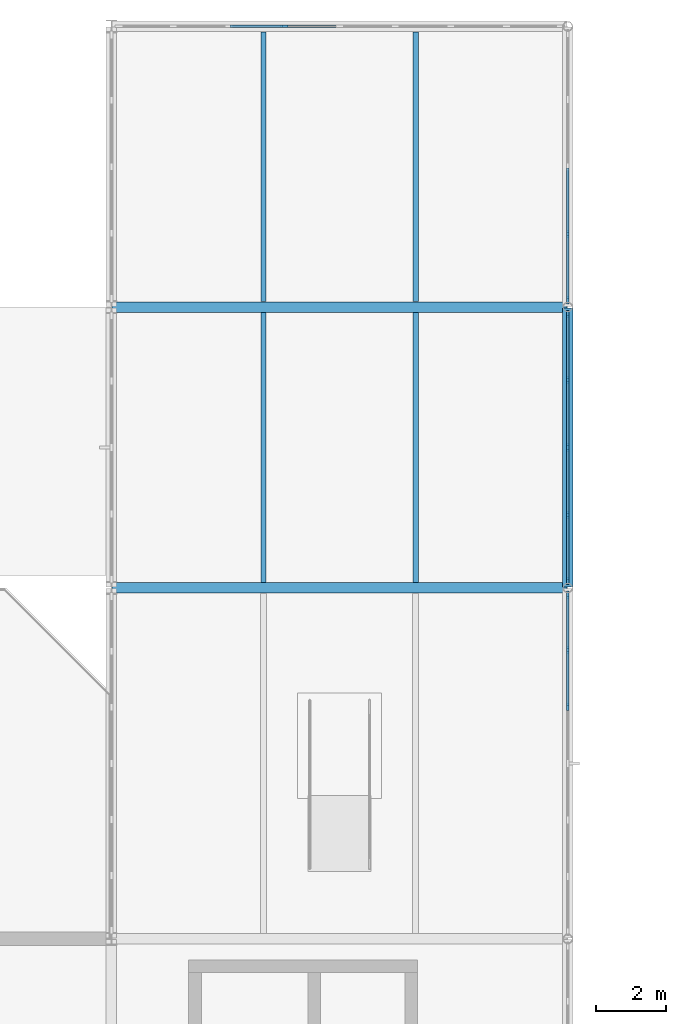
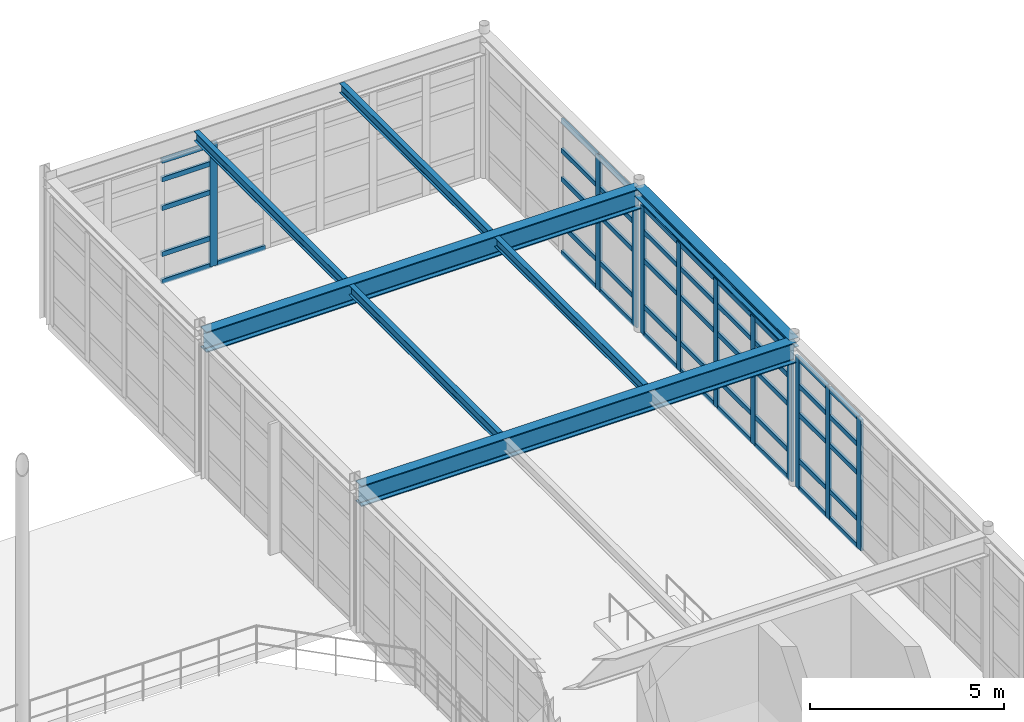
# One storey, part 79 of 139: 57 members, 7 beams, 4 elements without a shape of their own.
"""IFC4 building model written with IfcOpenShell, lengths in metres."""

from ifc_helpers import new_model, si_unit, direction, frame, origin, origin_2d, place, context, subcontext, project, spatial, rectangle, i_section, extrude, material, layer, layer_set, material_profile, profile_set, type_object, element, aggregate, save


model = new_model("IFC4")

# Units and contexts
model_context = context("Model", 3, precision=1e-05, world=origin(), true_north=direction((0.0, 1.0)))
body_context = subcontext(model_context, "Body", "Model", "MODEL_VIEW")
ifc_project = project(units=[si_unit("LENGTHUNIT", "METRE"), si_unit("AREAUNIT", "SQUARE_METRE"), si_unit("VOLUMEUNIT", "CUBIC_METRE"), si_unit("PLANEANGLEUNIT", "RADIAN"), si_unit("MASSUNIT", "GRAM", prefix="KILO"), si_unit("THERMODYNAMICTEMPERATUREUNIT", "KELVIN"), si_unit("POWERUNIT", "WATT")], contexts=[model_context])

# Site, building, storey
site_placement = place(None, origin())
site = spatial("IfcSite", under=ifc_project, at=site_placement, CompositionType="ELEMENT")
building_placement = place(site_placement, origin())
building = spatial("IfcBuilding", under=site, at=building_placement, Name="Korenveer Ferry Terminal", CompositionType="ELEMENT")
storey_placement = place(building_placement, frame((0.0, 0.0, 5.39990234375)))
storey = spatial("IfcBuildingStorey", under=building, at=storey_placement, Name="L01", CompositionType="ELEMENT", Elevation=5.39990234375)

# Curtain wall, member
ifc_material_1 = material(Name="Unitised bronze-and-glass curtain wall", Category="glass")
ifc_layer_1 = layer(ifc_material_1, 0.219970703125)
ifc_layer_set_1 = layer_set([ifc_layer_1], Name="Unitised bronze-and-glass curtain wall")
curtain_wall_type_1 = type_object("IfcCurtainWallType", Name="ENV-CW-57", PredefinedType="USERDEFINED", material=ifc_layer_set_1)
curtain_wall_1_placement = place(storey_placement, frame((123.179931640625, 116.0, 0.0)))
curtain_wall_1 = element("IfcCurtainWall", 1, at=curtain_wall_1_placement, inside=storey, type_object=curtain_wall_type_1, Name="Lancet curtain wall CWX-L01-X123-136-Y116-116", ObjectType="UNITISED CURTAIN WALL", PredefinedType="USERDEFINED")
ifc_material_2 = material(Name="Anodised bronze aluminium", Category="aluminium")
ifc_material_profile_1 = material_profile(ifc_material_2, rectangle(XDim=0.074951171875, YDim=0.219970703125, at=origin_2d()), Name="ALU 75x220")
ifc_profile_set_1 = profile_set([ifc_material_profile_1], Name="Anodised bronze aluminium")
member_type_1 = type_object("IfcMemberType", Name="ENV-CWM-75X220", PredefinedType="MULLION", material=ifc_profile_set_1)
member_1_placement = place(storey_placement, frame((127.925048828125, 116.0, 0.0), z_axis=(0.0, 0.0, 1.0), x_axis=(0.0, 1.0, 0.0)))
member_1 = element("IfcMember", 2, at=member_1_placement, type_object=member_type_1, Name="CW-57 mullion 4", PredefinedType="MULLION", context=body_context, shape_type="SweptSolid", body=[
    extrude(rectangle(XDim=0.074951171875, YDim=0.219970703125, at=origin_2d()), origin(), (0.0, 0.0, 1.0), 3.8701171875),
])

# Curtain wall, members
ifc_layer_2 = layer(ifc_material_1, 0.219970703125)
ifc_layer_set_2 = layer_set([ifc_layer_2], Name="Unitised bronze-and-glass curtain wall")
curtain_wall_type_2 = type_object("IfcCurtainWallType", Name="ENV-CW-76", PredefinedType="USERDEFINED", material=ifc_layer_set_2)
curtain_wall_2_placement = place(storey_placement, frame((136.0, 99.83349609375, 0.0)))
curtain_wall_2 = element("IfcCurtainWall", 3, at=curtain_wall_2_placement, inside=storey, type_object=curtain_wall_type_2, Name="Lancet curtain wall CWX-L01-X136-136-Y90-100", ObjectType="UNITISED CURTAIN WALL", PredefinedType="USERDEFINED")
member_2_placement = place(storey_placement, frame((136.0, 99.7958984375, 0.0), z_axis=(0.0, 0.0, 1.0), x_axis=(1.0, 0.0, 0.0)))
member_2 = element("IfcMember", 4, at=member_2_placement, type_object=member_type_1, Name="CW-76 mullion 1", PredefinedType="MULLION", context=body_context, shape_type="SweptSolid", body=[
    extrude(rectangle(XDim=0.074951171875, YDim=0.219970703125, at=origin_2d()), origin(), (0.0, 0.0, 1.0), 4.130126953125),
])
member_3_placement = place(storey_placement, frame((136.0, 98.222412109375, 0.0), z_axis=(0.0, 0.0, 1.0), x_axis=(1.0, 0.0, 0.0)))
member_3 = element("IfcMember", 5, at=member_3_placement, type_object=member_type_1, Name="CW-76 mullion 2", PredefinedType="MULLION", context=body_context, shape_type="SweptSolid", body=[
    extrude(rectangle(XDim=0.074951171875, YDim=0.219970703125, at=origin_2d()), origin(), (0.0, 0.0, 1.0), 4.130126953125),
])
member_4_placement = place(storey_placement, frame((136.0, 96.611083984375, 0.0), z_axis=(0.0, 0.0, 1.0), x_axis=(1.0, 0.0, 0.0)))
member_4 = element("IfcMember", 6, at=member_4_placement, type_object=member_type_1, Name="CW-76 mullion 3", PredefinedType="MULLION", context=body_context, shape_type="SweptSolid", body=[
    extrude(rectangle(XDim=0.074951171875, YDim=0.219970703125, at=origin_2d()), origin(), (0.0, 0.0, 1.0), 4.130126953125),
])

ifc_layer_3 = layer(ifc_material_1, 0.219970703125)
ifc_layer_set_3 = layer_set([ifc_layer_3], Name="Unitised bronze-and-glass curtain wall")
curtain_wall_type_3 = type_object("IfcCurtainWallType", Name="ENV-CW-67", PredefinedType="USERDEFINED", material=ifc_layer_set_3)
curtain_wall_3_placement = place(storey_placement, frame((136.0, 107.83349609375, 0.0)))
curtain_wall_3 = element("IfcCurtainWall", 7, at=curtain_wall_3_placement, inside=storey, type_object=curtain_wall_type_3, Name="Lancet curtain wall CWX-L01-X136-136-Y100-108", ObjectType="UNITISED CURTAIN WALL", PredefinedType="USERDEFINED")
member_5_placement = place(storey_placement, frame((136.0, 107.7958984375, 0.0), z_axis=(0.0, 0.0, 1.0), x_axis=(1.0, 0.0, 0.0)))
member_5 = element("IfcMember", 8, at=member_5_placement, type_object=member_type_1, Name="CW-67 mullion 1", PredefinedType="MULLION", context=body_context, shape_type="SweptSolid", body=[
    extrude(rectangle(XDim=0.074951171875, YDim=0.219970703125, at=origin_2d()), origin(), (0.0, 0.0, 1.0), 4.030029296875),
])
member_6_placement = place(storey_placement, frame((136.0, 105.916748046875, 0.0), z_axis=(0.0, 0.0, 1.0), x_axis=(1.0, 0.0, 0.0)))
member_6 = element("IfcMember", 9, at=member_6_placement, type_object=member_type_1, Name="CW-67 mullion 2", PredefinedType="MULLION", context=body_context, shape_type="SweptSolid", body=[
    extrude(rectangle(XDim=0.074951171875, YDim=0.219970703125, at=origin_2d()), origin(), (0.0, 0.0, 1.0), 4.030029296875),
])
member_7_placement = place(storey_placement, frame((136.0, 104.0, 0.0), z_axis=(0.0, 0.0, 1.0), x_axis=(1.0, 0.0, 0.0)))
member_7 = element("IfcMember", 10, at=member_7_placement, type_object=member_type_1, Name="CW-67 mullion 3", PredefinedType="MULLION", context=body_context, shape_type="SweptSolid", body=[
    extrude(rectangle(XDim=0.074951171875, YDim=0.219970703125, at=origin_2d()), origin(), (0.0, 0.0, 1.0), 4.030029296875),
])
member_8_placement = place(storey_placement, frame((136.0, 102.083251953125, 0.0), z_axis=(0.0, 0.0, 1.0), x_axis=(1.0, 0.0, 0.0)))
member_8 = element("IfcMember", 11, at=member_8_placement, type_object=member_type_1, Name="CW-67 mullion 4", PredefinedType="MULLION", context=body_context, shape_type="SweptSolid", body=[
    extrude(rectangle(XDim=0.074951171875, YDim=0.219970703125, at=origin_2d()), origin(), (0.0, 0.0, 1.0), 4.030029296875),
])
member_9_placement = place(storey_placement, frame((136.0, 100.2041015625, 0.0), z_axis=(0.0, 0.0, 1.0), x_axis=(1.0, 0.0, 0.0)))
member_9 = element("IfcMember", 12, at=member_9_placement, type_object=member_type_1, Name="CW-67 mullion 5", PredefinedType="MULLION", context=body_context, shape_type="SweptSolid", body=[
    extrude(rectangle(XDim=0.074951171875, YDim=0.219970703125, at=origin_2d()), origin(), (0.0, 0.0, 1.0), 4.030029296875),
])

ifc_layer_4 = layer(ifc_material_1, 0.219970703125)
ifc_layer_set_4 = layer_set([ifc_layer_4], Name="Unitised bronze-and-glass curtain wall")
curtain_wall_type_4 = type_object("IfcCurtainWallType", Name="ENV-CW-77", PredefinedType="USERDEFINED", material=ifc_layer_set_4)
curtain_wall_4_placement = place(storey_placement, frame((136.0, 115.83349609375, 0.0)))
curtain_wall_4 = element("IfcCurtainWall", 13, at=curtain_wall_4_placement, inside=storey, type_object=curtain_wall_type_4, Name="Lancet curtain wall CWX-L01-X136-136-Y108-116", ObjectType="UNITISED CURTAIN WALL", PredefinedType="USERDEFINED")
member_10_placement = place(storey_placement, frame((136.0, 110.083251953125, 0.0), z_axis=(0.0, 0.0, 1.0), x_axis=(1.0, 0.0, 0.0)))
member_10 = element("IfcMember", 14, at=member_10_placement, type_object=member_type_1, Name="CW-77 mullion 4", PredefinedType="MULLION", context=body_context, shape_type="SweptSolid", body=[
    extrude(rectangle(XDim=0.074951171875, YDim=0.219970703125, at=origin_2d()), origin(), (0.0, 0.0, 1.0), 4.22998046875),
])
member_11_placement = place(storey_placement, frame((136.0, 108.2041015625, 0.0), z_axis=(0.0, 0.0, 1.0), x_axis=(1.0, 0.0, 0.0)))
member_11 = element("IfcMember", 15, at=member_11_placement, type_object=member_type_1, Name="CW-77 mullion 5", PredefinedType="MULLION", context=body_context, shape_type="SweptSolid", body=[
    extrude(rectangle(XDim=0.074951171875, YDim=0.219970703125, at=origin_2d()), origin(), (0.0, 0.0, 1.0), 4.22998046875),
])

# Member
ifc_material_profile_2 = material_profile(ifc_material_2, rectangle(XDim=0.074951171875, YDim=0.14990234375, at=origin_2d()), Name="ALU 75x150")
ifc_profile_set_2 = profile_set([ifc_material_profile_2], Name="Anodised bronze aluminium")
member_type_2 = type_object("IfcMemberType", Name="ENV-CWT-75X150", PredefinedType="USERDEFINED", material=ifc_profile_set_2)
member_12_placement = place(storey_placement, frame((126.380859375, 116.0, 0.03759765625), z_axis=(1.0, 0.0, 0.0), x_axis=(0.0, 1.0, 0.0)))
member_12 = element("IfcMember", 16, at=member_12_placement, type_object=member_type_2, Name="CW-57 transom 3.1", ObjectType="TRANSOM", PredefinedType="USERDEFINED", context=body_context, shape_type="SweptSolid", body=[
    extrude(rectangle(XDim=0.074951171875, YDim=0.14990234375, at=origin_2d()), origin(), (0.0, 0.0, 1.0), 1.506591796875),
])

member_13_placement = place(storey_placement, frame((126.380859375, 116.0, 0.900146484375), z_axis=(1.0, 0.0, 0.0), x_axis=(0.0, 1.0, 0.0)))
member_13 = element("IfcMember", 17, at=member_13_placement, type_object=member_type_2, Name="CW-57 transom 3.2", ObjectType="TRANSOM", PredefinedType="USERDEFINED", context=body_context, shape_type="SweptSolid", body=[
    extrude(rectangle(XDim=0.074951171875, YDim=0.14990234375, at=origin_2d()), origin(), (0.0, 0.0, 1.0), 1.506591796875),
])

member_14_placement = place(storey_placement, frame((126.380859375, 116.0, 2.35009765625), z_axis=(1.0, 0.0, 0.0), x_axis=(0.0, 1.0, 0.0)))
member_14 = element("IfcMember", 18, at=member_14_placement, type_object=member_type_2, Name="CW-57 transom 3.3", ObjectType="TRANSOM", PredefinedType="USERDEFINED", context=body_context, shape_type="SweptSolid", body=[
    extrude(rectangle(XDim=0.074951171875, YDim=0.14990234375, at=origin_2d()), origin(), (0.0, 0.0, 1.0), 1.506591796875),
])

member_15_placement = place(storey_placement, frame((126.380859375, 116.0, 3.25), z_axis=(1.0, 0.0, 0.0), x_axis=(0.0, 1.0, 0.0)))
member_15 = element("IfcMember", 19, at=member_15_placement, type_object=member_type_2, Name="CW-57 transom 3.4", ObjectType="TRANSOM", PredefinedType="USERDEFINED", context=body_context, shape_type="SweptSolid", body=[
    extrude(rectangle(XDim=0.074951171875, YDim=0.14990234375, at=origin_2d()), origin(), (0.0, 0.0, 1.0), 1.506591796875),
])

member_16_placement = place(storey_placement, frame((126.380859375, 116.0, 3.83251953125), z_axis=(1.0, 0.0, 0.0), x_axis=(0.0, 1.0, 0.0)))
member_16 = element("IfcMember", 20, at=member_16_placement, type_object=member_type_2, Name="CW-57 transom 3.5", ObjectType="TRANSOM", PredefinedType="USERDEFINED", context=body_context, shape_type="SweptSolid", body=[
    extrude(rectangle(XDim=0.074951171875, YDim=0.14990234375, at=origin_2d()), origin(), (0.0, 0.0, 1.0), 1.506591796875),
])

member_17_placement = place(storey_placement, frame((127.962646484375, 116.0, 0.03759765625), z_axis=(1.0, 0.0, 0.0), x_axis=(0.0, 1.0, 0.0)))
member_17 = element("IfcMember", 21, at=member_17_placement, type_object=member_type_2, Name="CW-57 transom 4.1", ObjectType="TRANSOM", PredefinedType="USERDEFINED", context=body_context, shape_type="SweptSolid", body=[
    extrude(rectangle(XDim=0.074951171875, YDim=0.14990234375, at=origin_2d()), origin(), (0.0, 0.0, 1.0), 1.506591796875),
])

aggregate(curtain_wall_1, [member_1, member_12, member_13, member_14, member_15, member_16, member_17])

member_18_placement = place(storey_placement, frame((136.0, 99.758544921875, 0.03759765625), z_axis=(0.0, -1.0, 0.0), x_axis=(1.0, 0.0, 0.0)))
member_18 = element("IfcMember", 22, at=member_18_placement, type_object=member_type_2, Name="CW-76 transom 1.1", ObjectType="TRANSOM", PredefinedType="USERDEFINED", context=body_context, shape_type="SweptSolid", body=[
    extrude(rectangle(XDim=0.074951171875, YDim=0.14990234375, at=origin_2d()), origin(), (0.0, 0.0, 1.0), 1.498779296875),
])

member_19_placement = place(storey_placement, frame((136.0, 99.758544921875, 0.900146484375), z_axis=(0.0, -1.0, 0.0), x_axis=(1.0, 0.0, 0.0)))
member_19 = element("IfcMember", 23, at=member_19_placement, type_object=member_type_2, Name="CW-76 transom 1.2", ObjectType="TRANSOM", PredefinedType="USERDEFINED", context=body_context, shape_type="SweptSolid", body=[
    extrude(rectangle(XDim=0.074951171875, YDim=0.14990234375, at=origin_2d()), origin(), (0.0, 0.0, 1.0), 1.498779296875),
])

member_20_placement = place(storey_placement, frame((136.0, 99.758544921875, 2.35009765625), z_axis=(0.0, -1.0, 0.0), x_axis=(1.0, 0.0, 0.0)))
member_20 = element("IfcMember", 24, at=member_20_placement, type_object=member_type_2, Name="CW-76 transom 1.3", ObjectType="TRANSOM", PredefinedType="USERDEFINED", context=body_context, shape_type="SweptSolid", body=[
    extrude(rectangle(XDim=0.074951171875, YDim=0.14990234375, at=origin_2d()), origin(), (0.0, 0.0, 1.0), 1.498779296875),
])

member_21_placement = place(storey_placement, frame((136.0, 99.758544921875, 3.25), z_axis=(0.0, -1.0, 0.0), x_axis=(1.0, 0.0, 0.0)))
member_21 = element("IfcMember", 25, at=member_21_placement, type_object=member_type_2, Name="CW-76 transom 1.4", ObjectType="TRANSOM", PredefinedType="USERDEFINED", context=body_context, shape_type="SweptSolid", body=[
    extrude(rectangle(XDim=0.074951171875, YDim=0.14990234375, at=origin_2d()), origin(), (0.0, 0.0, 1.0), 1.498779296875),
])

member_22_placement = place(storey_placement, frame((136.0, 99.758544921875, 4.092529296875), z_axis=(0.0, -1.0, 0.0), x_axis=(1.0, 0.0, 0.0)))
member_22 = element("IfcMember", 26, at=member_22_placement, type_object=member_type_2, Name="CW-76 transom 1.5", ObjectType="TRANSOM", PredefinedType="USERDEFINED", context=body_context, shape_type="SweptSolid", body=[
    extrude(rectangle(XDim=0.074951171875, YDim=0.14990234375, at=origin_2d()), origin(), (0.0, 0.0, 1.0), 1.498779296875),
])

member_23_placement = place(storey_placement, frame((136.0, 98.184814453125, 0.03759765625), z_axis=(0.0, -1.0, 0.0), x_axis=(1.0, 0.0, 0.0)))
member_23 = element("IfcMember", 27, at=member_23_placement, type_object=member_type_2, Name="CW-76 transom 2.1", ObjectType="TRANSOM", PredefinedType="USERDEFINED", context=body_context, shape_type="SweptSolid", body=[
    extrude(rectangle(XDim=0.074951171875, YDim=0.14990234375, at=origin_2d()), origin(), (0.0, 0.0, 1.0), 1.5361328125),
])

member_24_placement = place(storey_placement, frame((136.0, 98.184814453125, 0.900146484375), z_axis=(0.0, -1.0, 0.0), x_axis=(1.0, 0.0, 0.0)))
member_24 = element("IfcMember", 28, at=member_24_placement, type_object=member_type_2, Name="CW-76 transom 2.2", ObjectType="TRANSOM", PredefinedType="USERDEFINED", context=body_context, shape_type="SweptSolid", body=[
    extrude(rectangle(XDim=0.074951171875, YDim=0.14990234375, at=origin_2d()), origin(), (0.0, 0.0, 1.0), 1.5361328125),
])

member_25_placement = place(storey_placement, frame((136.0, 98.184814453125, 2.35009765625), z_axis=(0.0, -1.0, 0.0), x_axis=(1.0, 0.0, 0.0)))
member_25 = element("IfcMember", 29, at=member_25_placement, type_object=member_type_2, Name="CW-76 transom 2.3", ObjectType="TRANSOM", PredefinedType="USERDEFINED", context=body_context, shape_type="SweptSolid", body=[
    extrude(rectangle(XDim=0.074951171875, YDim=0.14990234375, at=origin_2d()), origin(), (0.0, 0.0, 1.0), 1.5361328125),
])

member_26_placement = place(storey_placement, frame((136.0, 98.184814453125, 3.25), z_axis=(0.0, -1.0, 0.0), x_axis=(1.0, 0.0, 0.0)))
member_26 = element("IfcMember", 30, at=member_26_placement, type_object=member_type_2, Name="CW-76 transom 2.4", ObjectType="TRANSOM", PredefinedType="USERDEFINED", context=body_context, shape_type="SweptSolid", body=[
    extrude(rectangle(XDim=0.074951171875, YDim=0.14990234375, at=origin_2d()), origin(), (0.0, 0.0, 1.0), 1.5361328125),
])

member_27_placement = place(storey_placement, frame((136.0, 98.184814453125, 4.092529296875), z_axis=(0.0, -1.0, 0.0), x_axis=(1.0, 0.0, 0.0)))
member_27 = element("IfcMember", 31, at=member_27_placement, type_object=member_type_2, Name="CW-76 transom 2.5", ObjectType="TRANSOM", PredefinedType="USERDEFINED", context=body_context, shape_type="SweptSolid", body=[
    extrude(rectangle(XDim=0.074951171875, YDim=0.14990234375, at=origin_2d()), origin(), (0.0, 0.0, 1.0), 1.5361328125),
])

aggregate(curtain_wall_2, [member_2, member_3, member_4, member_18, member_19, member_20, member_21, member_22, member_23, member_24, member_25, member_26, member_27])

member_28_placement = place(storey_placement, frame((136.0, 107.758544921875, 0.03759765625), z_axis=(0.0, -1.0, 0.0), x_axis=(1.0, 0.0, 0.0)))
member_28 = element("IfcMember", 32, at=member_28_placement, type_object=member_type_2, Name="CW-67 transom 1.1", ObjectType="TRANSOM", PredefinedType="USERDEFINED", context=body_context, shape_type="SweptSolid", body=[
    extrude(rectangle(XDim=0.074951171875, YDim=0.14990234375, at=origin_2d()), origin(), (0.0, 0.0, 1.0), 1.80419921875),
])

member_29_placement = place(storey_placement, frame((136.0, 107.758544921875, 0.900146484375), z_axis=(0.0, -1.0, 0.0), x_axis=(1.0, 0.0, 0.0)))
member_29 = element("IfcMember", 33, at=member_29_placement, type_object=member_type_2, Name="CW-67 transom 1.2", ObjectType="TRANSOM", PredefinedType="USERDEFINED", context=body_context, shape_type="SweptSolid", body=[
    extrude(rectangle(XDim=0.074951171875, YDim=0.14990234375, at=origin_2d()), origin(), (0.0, 0.0, 1.0), 1.80419921875),
])

member_30_placement = place(storey_placement, frame((136.0, 107.758544921875, 2.35009765625), z_axis=(0.0, -1.0, 0.0), x_axis=(1.0, 0.0, 0.0)))
member_30 = element("IfcMember", 34, at=member_30_placement, type_object=member_type_2, Name="CW-67 transom 1.3", ObjectType="TRANSOM", PredefinedType="USERDEFINED", context=body_context, shape_type="SweptSolid", body=[
    extrude(rectangle(XDim=0.074951171875, YDim=0.14990234375, at=origin_2d()), origin(), (0.0, 0.0, 1.0), 1.80419921875),
])

member_31_placement = place(storey_placement, frame((136.0, 107.758544921875, 3.25), z_axis=(0.0, -1.0, 0.0), x_axis=(1.0, 0.0, 0.0)))
member_31 = element("IfcMember", 35, at=member_31_placement, type_object=member_type_2, Name="CW-67 transom 1.4", ObjectType="TRANSOM", PredefinedType="USERDEFINED", context=body_context, shape_type="SweptSolid", body=[
    extrude(rectangle(XDim=0.074951171875, YDim=0.14990234375, at=origin_2d()), origin(), (0.0, 0.0, 1.0), 1.80419921875),
])

member_32_placement = place(storey_placement, frame((136.0, 107.758544921875, 3.99267578125), z_axis=(0.0, -1.0, 0.0), x_axis=(1.0, 0.0, 0.0)))
member_32 = element("IfcMember", 36, at=member_32_placement, type_object=member_type_2, Name="CW-67 transom 1.5", ObjectType="TRANSOM", PredefinedType="USERDEFINED", context=body_context, shape_type="SweptSolid", body=[
    extrude(rectangle(XDim=0.074951171875, YDim=0.14990234375, at=origin_2d()), origin(), (0.0, 0.0, 1.0), 1.80419921875),
])

member_33_placement = place(storey_placement, frame((136.0, 105.879150390625, 0.03759765625), z_axis=(0.0, -1.0, 0.0), x_axis=(1.0, 0.0, 0.0)))
member_33 = element("IfcMember", 37, at=member_33_placement, type_object=member_type_2, Name="CW-67 transom 2.1", ObjectType="TRANSOM", PredefinedType="USERDEFINED", context=body_context, shape_type="SweptSolid", body=[
    extrude(rectangle(XDim=0.074951171875, YDim=0.14990234375, at=origin_2d()), origin(), (0.0, 0.0, 1.0), 1.841552734375),
])

member_34_placement = place(storey_placement, frame((136.0, 105.879150390625, 0.900146484375), z_axis=(0.0, -1.0, 0.0), x_axis=(1.0, 0.0, 0.0)))
member_34 = element("IfcMember", 38, at=member_34_placement, type_object=member_type_2, Name="CW-67 transom 2.2", ObjectType="TRANSOM", PredefinedType="USERDEFINED", context=body_context, shape_type="SweptSolid", body=[
    extrude(rectangle(XDim=0.074951171875, YDim=0.14990234375, at=origin_2d()), origin(), (0.0, 0.0, 1.0), 1.841552734375),
])

member_35_placement = place(storey_placement, frame((136.0, 105.879150390625, 2.35009765625), z_axis=(0.0, -1.0, 0.0), x_axis=(1.0, 0.0, 0.0)))
member_35 = element("IfcMember", 39, at=member_35_placement, type_object=member_type_2, Name="CW-67 transom 2.3", ObjectType="TRANSOM", PredefinedType="USERDEFINED", context=body_context, shape_type="SweptSolid", body=[
    extrude(rectangle(XDim=0.074951171875, YDim=0.14990234375, at=origin_2d()), origin(), (0.0, 0.0, 1.0), 1.841552734375),
])

member_36_placement = place(storey_placement, frame((136.0, 105.879150390625, 3.25), z_axis=(0.0, -1.0, 0.0), x_axis=(1.0, 0.0, 0.0)))
member_36 = element("IfcMember", 40, at=member_36_placement, type_object=member_type_2, Name="CW-67 transom 2.4", ObjectType="TRANSOM", PredefinedType="USERDEFINED", context=body_context, shape_type="SweptSolid", body=[
    extrude(rectangle(XDim=0.074951171875, YDim=0.14990234375, at=origin_2d()), origin(), (0.0, 0.0, 1.0), 1.841552734375),
])

member_37_placement = place(storey_placement, frame((136.0, 105.879150390625, 3.99267578125), z_axis=(0.0, -1.0, 0.0), x_axis=(1.0, 0.0, 0.0)))
member_37 = element("IfcMember", 41, at=member_37_placement, type_object=member_type_2, Name="CW-67 transom 2.5", ObjectType="TRANSOM", PredefinedType="USERDEFINED", context=body_context, shape_type="SweptSolid", body=[
    extrude(rectangle(XDim=0.074951171875, YDim=0.14990234375, at=origin_2d()), origin(), (0.0, 0.0, 1.0), 1.841552734375),
])

member_38_placement = place(storey_placement, frame((136.0, 103.96240234375, 0.03759765625), z_axis=(0.0, -1.0, 0.0), x_axis=(1.0, 0.0, 0.0)))
member_38 = element("IfcMember", 42, at=member_38_placement, type_object=member_type_2, Name="CW-67 transom 3.1", ObjectType="TRANSOM", PredefinedType="USERDEFINED", context=body_context, shape_type="SweptSolid", body=[
    extrude(rectangle(XDim=0.074951171875, YDim=0.14990234375, at=origin_2d()), origin(), (0.0, 0.0, 1.0), 1.841552734375),
])

member_39_placement = place(storey_placement, frame((136.0, 103.96240234375, 0.900146484375), z_axis=(0.0, -1.0, 0.0), x_axis=(1.0, 0.0, 0.0)))
member_39 = element("IfcMember", 43, at=member_39_placement, type_object=member_type_2, Name="CW-67 transom 3.2", ObjectType="TRANSOM", PredefinedType="USERDEFINED", context=body_context, shape_type="SweptSolid", body=[
    extrude(rectangle(XDim=0.074951171875, YDim=0.14990234375, at=origin_2d()), origin(), (0.0, 0.0, 1.0), 1.841552734375),
])

member_40_placement = place(storey_placement, frame((136.0, 103.96240234375, 2.35009765625), z_axis=(0.0, -1.0, 0.0), x_axis=(1.0, 0.0, 0.0)))
member_40 = element("IfcMember", 44, at=member_40_placement, type_object=member_type_2, Name="CW-67 transom 3.3", ObjectType="TRANSOM", PredefinedType="USERDEFINED", context=body_context, shape_type="SweptSolid", body=[
    extrude(rectangle(XDim=0.074951171875, YDim=0.14990234375, at=origin_2d()), origin(), (0.0, 0.0, 1.0), 1.841552734375),
])

member_41_placement = place(storey_placement, frame((136.0, 103.96240234375, 3.25), z_axis=(0.0, -1.0, 0.0), x_axis=(1.0, 0.0, 0.0)))
member_41 = element("IfcMember", 45, at=member_41_placement, type_object=member_type_2, Name="CW-67 transom 3.4", ObjectType="TRANSOM", PredefinedType="USERDEFINED", context=body_context, shape_type="SweptSolid", body=[
    extrude(rectangle(XDim=0.074951171875, YDim=0.14990234375, at=origin_2d()), origin(), (0.0, 0.0, 1.0), 1.841552734375),
])

member_42_placement = place(storey_placement, frame((136.0, 103.96240234375, 3.99267578125), z_axis=(0.0, -1.0, 0.0), x_axis=(1.0, 0.0, 0.0)))
member_42 = element("IfcMember", 46, at=member_42_placement, type_object=member_type_2, Name="CW-67 transom 3.5", ObjectType="TRANSOM", PredefinedType="USERDEFINED", context=body_context, shape_type="SweptSolid", body=[
    extrude(rectangle(XDim=0.074951171875, YDim=0.14990234375, at=origin_2d()), origin(), (0.0, 0.0, 1.0), 1.841552734375),
])

member_43_placement = place(storey_placement, frame((136.0, 102.045654296875, 0.03759765625), z_axis=(0.0, -1.0, 0.0), x_axis=(1.0, 0.0, 0.0)))
member_43 = element("IfcMember", 47, at=member_43_placement, type_object=member_type_2, Name="CW-67 transom 4.1", ObjectType="TRANSOM", PredefinedType="USERDEFINED", context=body_context, shape_type="SweptSolid", body=[
    extrude(rectangle(XDim=0.074951171875, YDim=0.14990234375, at=origin_2d()), origin(), (0.0, 0.0, 1.0), 1.80419921875),
])

member_44_placement = place(storey_placement, frame((136.0, 102.045654296875, 0.900146484375), z_axis=(0.0, -1.0, 0.0), x_axis=(1.0, 0.0, 0.0)))
member_44 = element("IfcMember", 48, at=member_44_placement, type_object=member_type_2, Name="CW-67 transom 4.2", ObjectType="TRANSOM", PredefinedType="USERDEFINED", context=body_context, shape_type="SweptSolid", body=[
    extrude(rectangle(XDim=0.074951171875, YDim=0.14990234375, at=origin_2d()), origin(), (0.0, 0.0, 1.0), 1.80419921875),
])

member_45_placement = place(storey_placement, frame((136.0, 102.045654296875, 2.35009765625), z_axis=(0.0, -1.0, 0.0), x_axis=(1.0, 0.0, 0.0)))
member_45 = element("IfcMember", 49, at=member_45_placement, type_object=member_type_2, Name="CW-67 transom 4.3", ObjectType="TRANSOM", PredefinedType="USERDEFINED", context=body_context, shape_type="SweptSolid", body=[
    extrude(rectangle(XDim=0.074951171875, YDim=0.14990234375, at=origin_2d()), origin(), (0.0, 0.0, 1.0), 1.80419921875),
])

member_46_placement = place(storey_placement, frame((136.0, 102.045654296875, 3.25), z_axis=(0.0, -1.0, 0.0), x_axis=(1.0, 0.0, 0.0)))
member_46 = element("IfcMember", 50, at=member_46_placement, type_object=member_type_2, Name="CW-67 transom 4.4", ObjectType="TRANSOM", PredefinedType="USERDEFINED", context=body_context, shape_type="SweptSolid", body=[
    extrude(rectangle(XDim=0.074951171875, YDim=0.14990234375, at=origin_2d()), origin(), (0.0, 0.0, 1.0), 1.80419921875),
])

member_47_placement = place(storey_placement, frame((136.0, 102.045654296875, 3.99267578125), z_axis=(0.0, -1.0, 0.0), x_axis=(1.0, 0.0, 0.0)))
member_47 = element("IfcMember", 51, at=member_47_placement, type_object=member_type_2, Name="CW-67 transom 4.5", ObjectType="TRANSOM", PredefinedType="USERDEFINED", context=body_context, shape_type="SweptSolid", body=[
    extrude(rectangle(XDim=0.074951171875, YDim=0.14990234375, at=origin_2d()), origin(), (0.0, 0.0, 1.0), 1.80419921875),
])

aggregate(curtain_wall_3, [member_5, member_6, member_7, member_8, member_9, member_28, member_29, member_30, member_31, member_32, member_33, member_34, member_35, member_36, member_37, member_38, member_39, member_40, member_41, member_42, member_43, member_44, member_45, member_46, member_47])

member_48_placement = place(storey_placement, frame((136.0, 111.96240234375, 0.03759765625), z_axis=(0.0, -1.0, 0.0), x_axis=(1.0, 0.0, 0.0)))
member_48 = element("IfcMember", 52, at=member_48_placement, type_object=member_type_2, Name="CW-77 transom 3.1", ObjectType="TRANSOM", PredefinedType="USERDEFINED", context=body_context, shape_type="SweptSolid", body=[
    extrude(rectangle(XDim=0.074951171875, YDim=0.14990234375, at=origin_2d()), origin(), (0.0, 0.0, 1.0), 1.841552734375),
])

member_49_placement = place(storey_placement, frame((136.0, 111.96240234375, 0.900146484375), z_axis=(0.0, -1.0, 0.0), x_axis=(1.0, 0.0, 0.0)))
member_49 = element("IfcMember", 53, at=member_49_placement, type_object=member_type_2, Name="CW-77 transom 3.2", ObjectType="TRANSOM", PredefinedType="USERDEFINED", context=body_context, shape_type="SweptSolid", body=[
    extrude(rectangle(XDim=0.074951171875, YDim=0.14990234375, at=origin_2d()), origin(), (0.0, 0.0, 1.0), 1.841552734375),
])

member_50_placement = place(storey_placement, frame((136.0, 111.96240234375, 2.35009765625), z_axis=(0.0, -1.0, 0.0), x_axis=(1.0, 0.0, 0.0)))
member_50 = element("IfcMember", 54, at=member_50_placement, type_object=member_type_2, Name="CW-77 transom 3.3", ObjectType="TRANSOM", PredefinedType="USERDEFINED", context=body_context, shape_type="SweptSolid", body=[
    extrude(rectangle(XDim=0.074951171875, YDim=0.14990234375, at=origin_2d()), origin(), (0.0, 0.0, 1.0), 1.841552734375),
])

member_51_placement = place(storey_placement, frame((136.0, 111.96240234375, 3.25), z_axis=(0.0, -1.0, 0.0), x_axis=(1.0, 0.0, 0.0)))
member_51 = element("IfcMember", 55, at=member_51_placement, type_object=member_type_2, Name="CW-77 transom 3.4", ObjectType="TRANSOM", PredefinedType="USERDEFINED", context=body_context, shape_type="SweptSolid", body=[
    extrude(rectangle(XDim=0.074951171875, YDim=0.14990234375, at=origin_2d()), origin(), (0.0, 0.0, 1.0), 1.841552734375),
])

member_52_placement = place(storey_placement, frame((136.0, 111.96240234375, 4.192626953125), z_axis=(0.0, -1.0, 0.0), x_axis=(1.0, 0.0, 0.0)))
member_52 = element("IfcMember", 56, at=member_52_placement, type_object=member_type_2, Name="CW-77 transom 3.5", ObjectType="TRANSOM", PredefinedType="USERDEFINED", context=body_context, shape_type="SweptSolid", body=[
    extrude(rectangle(XDim=0.074951171875, YDim=0.14990234375, at=origin_2d()), origin(), (0.0, 0.0, 1.0), 1.841552734375),
])

member_53_placement = place(storey_placement, frame((136.0, 110.045654296875, 0.03759765625), z_axis=(0.0, -1.0, 0.0), x_axis=(1.0, 0.0, 0.0)))
member_53 = element("IfcMember", 57, at=member_53_placement, type_object=member_type_2, Name="CW-77 transom 4.1", ObjectType="TRANSOM", PredefinedType="USERDEFINED", context=body_context, shape_type="SweptSolid", body=[
    extrude(rectangle(XDim=0.074951171875, YDim=0.14990234375, at=origin_2d()), origin(), (0.0, 0.0, 1.0), 1.80419921875),
])

member_54_placement = place(storey_placement, frame((136.0, 110.045654296875, 0.900146484375), z_axis=(0.0, -1.0, 0.0), x_axis=(1.0, 0.0, 0.0)))
member_54 = element("IfcMember", 58, at=member_54_placement, type_object=member_type_2, Name="CW-77 transom 4.2", ObjectType="TRANSOM", PredefinedType="USERDEFINED", context=body_context, shape_type="SweptSolid", body=[
    extrude(rectangle(XDim=0.074951171875, YDim=0.14990234375, at=origin_2d()), origin(), (0.0, 0.0, 1.0), 1.80419921875),
])

member_55_placement = place(storey_placement, frame((136.0, 110.045654296875, 2.35009765625), z_axis=(0.0, -1.0, 0.0), x_axis=(1.0, 0.0, 0.0)))
member_55 = element("IfcMember", 59, at=member_55_placement, type_object=member_type_2, Name="CW-77 transom 4.3", ObjectType="TRANSOM", PredefinedType="USERDEFINED", context=body_context, shape_type="SweptSolid", body=[
    extrude(rectangle(XDim=0.074951171875, YDim=0.14990234375, at=origin_2d()), origin(), (0.0, 0.0, 1.0), 1.80419921875),
])

member_56_placement = place(storey_placement, frame((136.0, 110.045654296875, 3.25), z_axis=(0.0, -1.0, 0.0), x_axis=(1.0, 0.0, 0.0)))
member_56 = element("IfcMember", 60, at=member_56_placement, type_object=member_type_2, Name="CW-77 transom 4.4", ObjectType="TRANSOM", PredefinedType="USERDEFINED", context=body_context, shape_type="SweptSolid", body=[
    extrude(rectangle(XDim=0.074951171875, YDim=0.14990234375, at=origin_2d()), origin(), (0.0, 0.0, 1.0), 1.80419921875),
])

member_57_placement = place(storey_placement, frame((136.0, 110.045654296875, 4.192626953125), z_axis=(0.0, -1.0, 0.0), x_axis=(1.0, 0.0, 0.0)))
member_57 = element("IfcMember", 61, at=member_57_placement, type_object=member_type_2, Name="CW-77 transom 4.5", ObjectType="TRANSOM", PredefinedType="USERDEFINED", context=body_context, shape_type="SweptSolid", body=[
    extrude(rectangle(XDim=0.074951171875, YDim=0.14990234375, at=origin_2d()), origin(), (0.0, 0.0, 1.0), 1.80419921875),
])

aggregate(curtain_wall_4, [member_10, member_11, member_48, member_49, member_50, member_51, member_52, member_53, member_54, member_55, member_56, member_57])

# Beams
ifc_material_3 = material(Name="Steel S355", Category="steel")
ifc_material_profile_3 = material_profile(ifc_material_3, i_section(OverallWidth=0.300048828125, OverallDepth=0.2900390625, WebThickness=0.008544921875, FlangeThickness=0.013916015625, FilletRadius=0.027099609375, at=origin_2d()), Name="HEA 300")
ifc_profile_set_3 = profile_set([ifc_material_profile_3], Name="Steel S355")
beam_type_1 = type_object("IfcBeamType", Name="STR-BM-HEA300", PredefinedType="BEAM", material=ifc_profile_set_3)
beam_placement = place(storey_placement, frame((136.0, 100.02001953125, 4.405029296875), z_axis=(0.0, 1.0, 0.0), x_axis=(-1.0, 0.0, 0.0)))
element("IfcBeam", 62, at=beam_placement, inside=storey, type_object=beam_type_1, Name="Primary Y girder BMY-L02-X136-Y100-108", PredefinedType="BEAM", context=body_context, shape_type="SweptSolid", body=[
    extrude(i_section(OverallWidth=0.300048828125, OverallDepth=0.2900390625, WebThickness=0.008544921875, FlangeThickness=0.013916015625, FilletRadius=0.027099609375, at=origin_2d()), origin(), (0.0, 0.0, 1.0), 7.9599609375),
])
ifc_material_profile_4 = material_profile(ifc_material_3, i_section(OverallWidth=0.300048828125, OverallDepth=0.64990234375, WebThickness=0.01611328125, FlangeThickness=0.031005859375, FilletRadius=0.027099609375, at=origin_2d()), Name="HEB 650")
ifc_profile_set_4 = profile_set([ifc_material_profile_4], Name="Steel S355")
beam_type_2 = type_object("IfcBeamType", Name="STR-BM-HEB650", PredefinedType="BEAM", material=ifc_profile_set_4)
for number, where, z_axis, x_axis, name in (
    (63, (123.02001953125, 100.0, 4.22509765625), (1.0, 0.0, 0.0), (0.0, 1.0, 0.0), "Primary X girder BMX-L02-X123-136-Y100"),
    (64, (123.02001953125, 108.0, 4.22509765625), (1.0, 0.0, 0.0), (0.0, 1.0, 0.0), "Primary X girder BMX-L02-X123-136-Y108"),
):
    element("IfcBeam", number, at=place(storey_placement, frame(where, z_axis=z_axis, x_axis=x_axis)), inside=storey, type_object=beam_type_2, Name=name, PredefinedType="BEAM", context=body_context, shape_type="SweptSolid", body=[
        extrude(i_section(OverallWidth=0.300048828125, OverallDepth=0.64990234375, WebThickness=0.01611328125, FlangeThickness=0.031005859375, FilletRadius=0.027099609375, at=origin_2d()), origin(), (0.0, 0.0, 1.0), 12.9599609375),
    ])
ifc_material_profile_5 = material_profile(ifc_material_3, i_section(OverallWidth=0.14990234375, OverallDepth=0.300048828125, WebThickness=0.007080078125, FlangeThickness=0.0107421875, FilletRadius=0.014892578125, at=origin_2d()), Name="IPE 300")
ifc_profile_set_5 = profile_set([ifc_material_profile_5], Name="Steel S355")
beam_type_3 = type_object("IfcBeamType", Name="STR-JST-IPE300", PredefinedType="JOIST", material=ifc_profile_set_5)
for number, where, z_axis, x_axis, name in (
    (65, (127.333251953125, 100.159912109375, 4.400146484375), (0.0, 1.0, 0.0), (-1.0, 0.0, 0.0), "Secondary composite joist JST-L02-X1273-Y100-108"),
    (66, (131.666748046875, 100.159912109375, 4.400146484375), (0.0, 1.0, 0.0), (-1.0, 0.0, 0.0), "Secondary composite joist JST-L02-X1317-Y100-108"),
    (67, (127.333251953125, 108.159912109375, 4.400146484375), (0.0, 1.0, 0.0), (-1.0, 0.0, 0.0), "Secondary composite joist JST-L02-X1273-Y108-116"),
    (68, (131.666748046875, 108.159912109375, 4.400146484375), (0.0, 1.0, 0.0), (-1.0, 0.0, 0.0), "Secondary composite joist JST-L02-X1317-Y108-116"),
):
    element("IfcBeam", number, at=place(storey_placement, frame(where, z_axis=z_axis, x_axis=x_axis)), inside=storey, type_object=beam_type_3, Name=name, PredefinedType="JOIST", context=body_context, shape_type="SweptSolid", body=[
        extrude(i_section(OverallWidth=0.14990234375, OverallDepth=0.300048828125, WebThickness=0.007080078125, FlangeThickness=0.0107421875, FilletRadius=0.014892578125, at=origin_2d()), origin(), (0.0, 0.0, 1.0), 7.68017578125),
    ])

save(model, "model.ifc")
